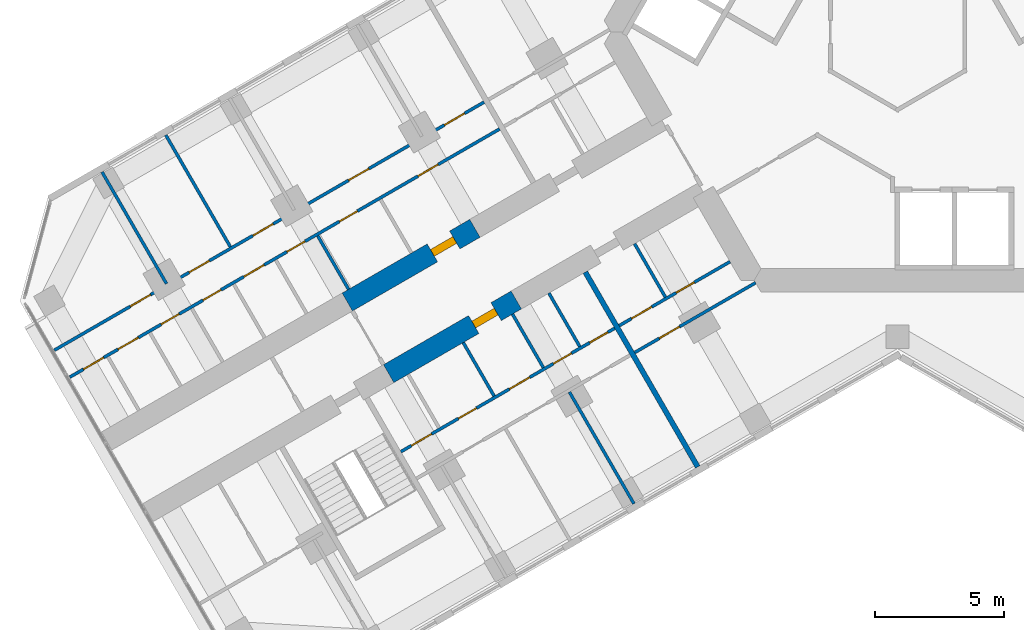
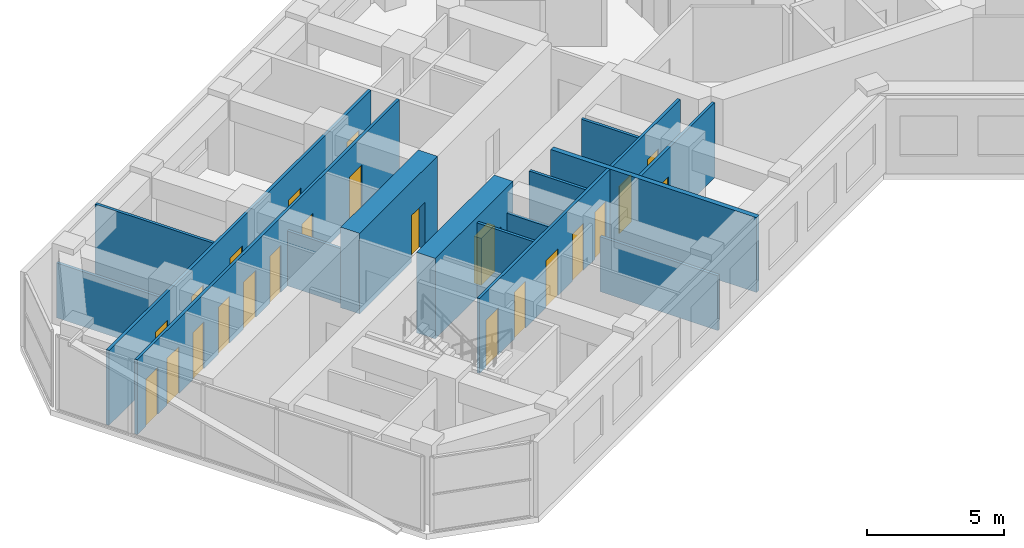
# One storey, part 11 of 19: 23 doors, 16 walls, 23 openings.
"""IFC4 building model written with IfcOpenShell, lengths in metres."""

import ifcopenshell
import ifcopenshell.guid

model = None  # the IFC model being written
_history = None  # IfcOwnerHistory: only IFC2X3 demands one
_inside = {}  # id of a spatial element -> (the spatial element, [elements in it])
_under = {}  # id of a project, library or spatial element -> (it, [spatial elements below it])
_declared = {}  # id of a project -> (the project, [libraries it declares])
_typed = {}  # id of a type object -> (the type object, [elements of that type])
_made_of = {}  # id of a material, layer set ... -> (it, [elements and type objects made of it])


def new_model(schema):
    """Start an empty IFC model of exactly this schema.

    Asked for "IFC4X3", IfcOpenShell would pick the latest addendum, in which some entities
    have other attributes; the version numbers below select the first issue.
    IFC2X3 requires an IfcOwnerHistory on every rooted entity: one is made here for all.
    """
    global model, _history
    if schema == "IFC4X3":
        model = ifcopenshell.file(schema_version=(4, 3, 0, 0))
    else:
        model = ifcopenshell.file(schema=schema)
    _inside.clear()
    _under.clear()
    _declared.clear()
    _typed.clear()
    _made_of.clear()
    _history = None
    if model.schema == "IFC2X3":
        org = make("IfcOrganization", Name="unknown")
        user = make(
            "IfcPersonAndOrganization",
            ThePerson=make("IfcPerson", FamilyName="unknown"),
            TheOrganization=org,
        )
        app = make(
            "IfcApplication",
            ApplicationDeveloper=org,
            Version="unknown",
            ApplicationFullName="unknown",
            ApplicationIdentifier="unknown",
        )
        _history = make(
            "IfcOwnerHistory",
            OwningUser=user,
            OwningApplication=app,
            ChangeAction="ADDED",
            CreationDate=0,
        )
    return model


def make(cls, **values):
    """One entity of the class cls with the attributes given. An attribute that is None is left unset."""
    return model.create_entity(
        cls, **{name: value for name, value in values.items() if value is not None}
    )


def rooted(cls, **values):
    """An entity with a GlobalId (a new one), such as an element, a storey or a relation."""
    return make(cls, GlobalId=ifcopenshell.guid.new(), OwnerHistory=_history, **values)


def si_unit(unit_type, name, prefix=None):
    """IfcSIUnit, for example si_unit("LENGTHUNIT", "METRE", prefix="MILLI")."""
    return make("IfcSIUnit", UnitType=unit_type, Prefix=prefix, Name=name)


def assignment(units):
    """IfcUnitAssignment: the units of a project."""
    return None if units is None else make("IfcUnitAssignment", Units=units)


def point(xyz):
    """IfcCartesianPoint."""
    return None if xyz is None else make("IfcCartesianPoint", Coordinates=xyz)


def direction(xyz):
    """IfcDirection."""
    return None if xyz is None else make("IfcDirection", DirectionRatios=xyz)


def frame(location, z_axis=None, x_axis=None):
    """IfcAxis2Placement3D, a coordinate frame: its origin and axes. An axis left out is left unset."""
    return make(
        "IfcAxis2Placement3D",
        Location=point(location),
        Axis=direction(z_axis),
        RefDirection=direction(x_axis),
    )


def frame_2d(location, x_axis=None):
    """IfcAxis2Placement2D, a coordinate frame in the plane: its origin and x axis."""
    return make(
        "IfcAxis2Placement2D", Location=point(location), RefDirection=direction(x_axis)
    )


def origin():
    """The frame at (0, 0, 0) with its axes left unset."""
    return frame((0.0, 0.0, 0.0))


def place(relative_to, where):
    """IfcLocalPlacement: puts the frame where relative to a parent placement (None: the world)."""
    return make(
        "IfcLocalPlacement", PlacementRelTo=relative_to, RelativePlacement=where
    )


def context(
    kind, dimensions, precision=None, world=None, true_north=None, identifier=None
):
    """IfcGeometricRepresentationContext, for example the 3D "Model" context."""
    return make(
        "IfcGeometricRepresentationContext",
        ContextIdentifier=identifier,
        ContextType=kind,
        CoordinateSpaceDimension=dimensions,
        Precision=precision,
        WorldCoordinateSystem=world,
        TrueNorth=true_north,
    )


def subcontext(parent, identifier, kind, view, scale=None):
    """IfcGeometricRepresentationSubContext, for example "Body" below "Model"."""
    return make(
        "IfcGeometricRepresentationSubContext",
        ContextIdentifier=identifier,
        ContextType=kind,
        ParentContext=parent,
        TargetScale=scale,
        TargetView=view,
    )


def project(units=None, contexts=None):
    """IfcProject with its units and contexts."""
    return rooted(
        "IfcProject",
        Name="project",
        RepresentationContexts=contexts,
        UnitsInContext=assignment(units),
    )


def spatial(cls, under=None, at=None, **own):
    """A site, building, storey or space (cls), placed at a placement, below another one or the project."""
    s = rooted(cls, ObjectPlacement=at, **own)
    if under is not None:
        _under.setdefault(under.id(), (under, []))[1].append(s)
    return s


def profile(cls, at=None, kind="AREA", **sizes):
    """A parametric profile (cls). Its sizes go by their IFC names, for example OverallWidth=200.0."""
    return make(cls, ProfileType=kind, Position=at, **sizes)


def rectangle(**sizes):
    """IfcRectangleProfileDef."""
    return profile("IfcRectangleProfileDef", **sizes)


def extrude(swept, where, along, depth):
    """IfcExtrudedAreaSolid: the profile swept, set in the frame where, extruded along a direction by depth."""
    return make(
        "IfcExtrudedAreaSolid",
        SweptArea=swept,
        Position=where,
        ExtrudedDirection=direction(along),
        Depth=depth,
    )


def shape(context_of_items, identifier, shape_type, items):
    """IfcShapeRepresentation: the items that make up one representation, for example the "Body"."""
    return make(
        "IfcShapeRepresentation",
        ContextOfItems=context_of_items,
        RepresentationIdentifier=identifier,
        RepresentationType=shape_type,
        Items=items,
    )


def material(Name=None, Category=None):
    """IfcMaterial."""
    return make("IfcMaterial", Name=Name, Category=Category)


def layer(
    of_material, thickness, ventilated=None, Name=None, Category=None, Priority=None
):
    """IfcMaterialLayer: one layer of a wall or slab, of a material (None: an air gap)."""
    return make(
        "IfcMaterialLayer",
        Material=of_material,
        LayerThickness=thickness,
        IsVentilated=ventilated,
        Name=Name,
        Category=Category,
        Priority=Priority,
    )


def layer_set(layers, Name=None):
    """IfcMaterialLayerSet."""
    return make("IfcMaterialLayerSet", MaterialLayers=layers, LayerSetName=Name)


def made_of(thing, what):
    """Note that an element or type object is made of a material, layer set ...; save() writes the relation."""
    if what is not None:
        _made_of.setdefault(what.id(), (what, []))[1].append(thing)
    return thing


def type_object(cls, material=None, **own):
    """A type object (cls), such as IfcWallType, which elements share."""
    return made_of(rooted(cls, **own), material)


def element(
    cls,
    number,
    at=None,
    inside=None,
    cuts=None,
    type_object=None,
    material=None,
    context=None,
    identifier="Body",
    shape_type=None,
    held_by="IfcProductDefinitionShape",
    body=None,
    shapes=None,
    **own,
):
    """One element of the class cls, such as IfcWall. Its Tag is "e" and its number.

    at: its placement. inside: the storey or other place that contains it. cuts: it is an
    opening in that element (IfcRelVoidsElement). A single representation is given by context,
    identifier, shape_type and body (its items); several are given by shapes. held_by: the class
    of the entity that holds the representations. save() writes the other relations.
    """
    e = rooted(cls, Tag="e%d" % number, ObjectPlacement=at, **own)
    if body is not None:
        shapes = [shape(context, identifier, shape_type, body)]
    if shapes is not None:
        e.Representation = make(held_by, Representations=shapes)
    if inside is not None:
        _inside.setdefault(inside.id(), (inside, []))[1].append(e)
    if cuts is not None:
        rooted(
            "IfcRelVoidsElement", RelatingBuildingElement=cuts, RelatedOpeningElement=e
        )
    if type_object is not None:
        _typed.setdefault(type_object.id(), (type_object, []))[1].append(e)
    return made_of(e, material)


def fill(opening, filler):
    """IfcRelFillsElement: the door or window that sits in an opening."""
    return rooted(
        "IfcRelFillsElement",
        RelatingOpeningElement=opening,
        RelatedBuildingElement=filler,
    )


def aggregate(whole, parts):
    """IfcRelAggregates: a whole, such as a stair, and the parts it consists of."""
    return rooted("IfcRelAggregates", RelatingObject=whole, RelatedObjects=parts)


def save(model, path):
    """Write the relations noted so far, then the file.

    IfcRelAggregates (storeys below a building ...), IfcRelContainedInSpatialStructure (elements
    in a storey), IfcRelDefinesByType, IfcRelAssociatesMaterial and IfcRelDeclares: one each for
    every whole, place, type object, material and project.
    """
    for whole, parts in _under.values():
        aggregate(whole, parts)
    for where, things in _inside.values():
        rooted(
            "IfcRelContainedInSpatialStructure",
            RelatedElements=things,
            RelatingStructure=where,
        )
    for kind, things in _typed.values():
        rooted("IfcRelDefinesByType", RelatedObjects=things, RelatingType=kind)
    for what, things in _made_of.values():
        rooted("IfcRelAssociatesMaterial", RelatedObjects=things, RelatingMaterial=what)
    for by, libraries in _declared.values():
        rooted("IfcRelDeclares", RelatingContext=by, RelatedDefinitions=libraries)
    model.write(path)


model = new_model("IFC4")

# Units and contexts
model_context = context("Model", 3, precision=1e-05, world=origin(), true_north=direction((0.0, 1.0)))
body_context = subcontext(model_context, "Body", "Model", "MODEL_VIEW")
ifc_project = project(units=[si_unit("LENGTHUNIT", "METRE"), si_unit("AREAUNIT", "SQUARE_METRE"), si_unit("VOLUMEUNIT", "CUBIC_METRE"), si_unit("PLANEANGLEUNIT", "RADIAN"), si_unit("MASSUNIT", "GRAM", prefix="KILO")], contexts=[model_context])

# Site, building, storey
site_placement = place(None, origin())
site = spatial("IfcSite", under=ifc_project, at=site_placement, CompositionType="ELEMENT")
building_placement = place(site_placement, origin())
building = spatial("IfcBuilding", under=site, at=building_placement, Name="Kosmar Iwan School Tower", CompositionType="ELEMENT")
storey_placement = place(building_placement, frame((0.0, 0.0, 134.60009765625)))
storey = spatial("IfcBuildingStorey", under=building, at=storey_placement, Name="L33", CompositionType="ELEMENT", Elevation=134.60009765625)

# Wall, opening, door
ifc_material_1 = material(Name="Concrete C50/60", Category="concrete")
ifc_layer_1 = layer(ifc_material_1, 0.800048828125)
ifc_layer_set_1 = layer_set([ifc_layer_1], Name="Corridor buttress wall 800")
wall_type_1 = type_object("IfcWallType", Name="Corridor buttress wall 800", PredefinedType="SHEAR", material=ifc_layer_set_1)
wall_1_placement = place(storey_placement, frame((-14.7451171875, -10.360595703125, 0.0), z_axis=(0.0, 0.0, 1.0), x_axis=(-0.866015111908, -0.50001782563, 0.0)))
wall_1 = element("IfcWall", 1, at=wall_1_placement, inside=storey, type_object=wall_type_1, Name="Corridor wall BL bay 2", PredefinedType="SHEAR", context=body_context, shape_type="SweptSolid", body=[
    extrude(rectangle(XDim=5.699951171875, YDim=0.800048828125, at=frame_2d((2.85009765625, 0.0))), origin(), (0.0, 0.0, 1.0), 3.599853515625),
])
opening_1_placement = place(wall_1_placement, frame((0.89990234375, 0.0, 0.0)))
opening_1 = element("IfcOpeningElement", 2, at=opening_1_placement, cuts=wall_1, Name="Opening D1", PredefinedType="OPENING", context=body_context, shape_type="SweptSolid", body=[
    extrude(rectangle(XDim=1.0, YDim=2.10009765625, at=frame_2d((0.5, 1.050048828125))), frame((0.0, 0.412109375, 0.0), z_axis=(0.0, -1.0, 0.0), x_axis=(1.0, 0.0, 0.0)), (0.0, 0.0, 1.0), 0.823974609375),
])
ifc_material_2 = material(Name="Timber fire door in steel frame", Category="steel")
door_type_1 = type_object("IfcDoorType", Name="Flat entrance door 1000x2100", OperationType="SINGLE_SWING_LEFT", PredefinedType="DOOR", material=ifc_material_2)
door_1_placement = place(opening_1_placement, origin())
door_1 = element("IfcDoor", 3, at=door_1_placement, inside=storey, type_object=door_type_1, Name="Flat L33-BL2 entrance door", OperationType="SINGLE_SWING_LEFT", OverallHeight=2.10009765625, OverallWidth=1.0, PredefinedType="DOOR", context=body_context, shape_type="SweptSolid", body=[
    extrude(rectangle(XDim=1.0, YDim=2.10009765625, at=frame_2d((0.5, 1.050048828125))), frame((0.0, 0.14990234375, 0.0), z_axis=(0.0, -1.0, 0.0), x_axis=(1.0, 0.0, 0.0)), (0.0, 0.0, 1.0), 0.300048828125),
])
fill(opening_1, door_1)

wall_2_placement = place(storey_placement, frame((-16.34521484375, -7.58935546875, 0.0), z_axis=(0.0, 0.0, 1.0), x_axis=(-0.866015111908, -0.50001782563, 0.0)))
wall_2 = element("IfcWall", 4, at=wall_2_placement, inside=storey, type_object=wall_type_1, Name="Corridor wall BR bay 2", PredefinedType="SHEAR", context=body_context, shape_type="SweptSolid", body=[
    extrude(rectangle(XDim=5.699951171875, YDim=0.800048828125, at=frame_2d((2.85009765625, 0.0))), origin(), (0.0, 0.0, 1.0), 3.599853515625),
])
opening_2_placement = place(wall_2_placement, frame((0.89990234375, 0.0, 0.0)))
opening_2 = element("IfcOpeningElement", 5, at=opening_2_placement, cuts=wall_2, Name="Opening D1", PredefinedType="OPENING", context=body_context, shape_type="SweptSolid", body=[
    extrude(rectangle(XDim=1.0, YDim=2.10009765625, at=frame_2d((0.5, 1.050048828125))), frame((0.0, 0.412109375, 0.0), z_axis=(0.0, -1.0, 0.0), x_axis=(1.0, 0.0, 0.0)), (0.0, 0.0, 1.0), 0.823974609375),
])
door_2_placement = place(opening_2_placement, origin())
door_2 = element("IfcDoor", 6, at=door_2_placement, inside=storey, type_object=door_type_1, Name="Flat L33-BR2 entrance door", OperationType="SINGLE_SWING_LEFT", OverallHeight=2.10009765625, OverallWidth=1.0, PredefinedType="DOOR", context=body_context, shape_type="SweptSolid", body=[
    extrude(rectangle(XDim=1.0, YDim=2.10009765625, at=frame_2d((0.5, 1.050048828125))), frame((0.0, 0.14990234375, 0.0), z_axis=(0.0, -1.0, 0.0), x_axis=(1.0, 0.0, 0.0)), (0.0, 0.0, 1.0), 0.300048828125),
])
fill(opening_2, door_2)

# Wall, openings, doors
ifc_material_3 = material(Name="Gypsum board on steel studs", Category="steel")
ifc_layer_2 = layer(ifc_material_3, 0.1201171875)
ifc_layer_set_2 = layer_set([ifc_layer_2], Name="Dwelling partition 120")
wall_type_2 = type_object("IfcWallType", Name="Dwelling partition 120", PredefinedType="PARTITIONING", material=ifc_layer_set_2)
wall_3_placement = place(storey_placement, frame((-6.478515625, -8.87890625, 0.0), z_axis=(0.0, 0.0, 1.0), x_axis=(-0.866040211805, -0.499974350878, 0.0)))
wall_3 = element("IfcWall", 7, at=wall_3_placement, inside=storey, type_object=wall_type_2, Name="Partition L33-BL1-W1", PredefinedType="PARTITIONING", context=body_context, shape_type="SweptSolid", body=[
    extrude(rectangle(XDim=4.949951171875, YDim=0.1201171875, at=frame_2d((2.47509765625, 0.0))), origin(), (0.0, 0.0, 1.0), 3.349853515625),
])
opening_3_placement = place(wall_3_placement, frame((1.60009765625, 0.0, 0.0)))
opening_3 = element("IfcOpeningElement", 8, at=opening_3_placement, cuts=wall_3, Name="Opening D3", PredefinedType="OPENING", context=body_context, shape_type="SweptSolid", body=[
    extrude(rectangle(XDim=0.800048828125, YDim=2.10009765625, at=frame_2d((0.39990234375, 1.050048828125))), frame((0.0, 0.072021484375, 0.0), z_axis=(0.0, -1.0, 0.0), x_axis=(1.0, 0.0, 0.0)), (0.0, 0.0, 1.0), 0.14404296875),
])
opening_4_placement = place(wall_3_placement, frame((3.5, 0.0, 0.0)))
opening_4 = element("IfcOpeningElement", 9, at=opening_4_placement, cuts=wall_3, Name="Opening D2", PredefinedType="OPENING", context=body_context, shape_type="SweptSolid", body=[
    extrude(rectangle(XDim=0.89990234375, YDim=2.10009765625, at=frame_2d((0.449951171875, 1.050048828125))), frame((0.0, 0.072021484375, 0.0), z_axis=(0.0, -1.0, 0.0), x_axis=(1.0, 0.0, 0.0)), (0.0, 0.0, 1.0), 0.14404296875),
])
ifc_material_4 = material(Name="Timber door in timber frame", Category="wood")
door_type_2 = type_object("IfcDoorType", Name="Internal door 900x2100", OperationType="SINGLE_SWING_LEFT", PredefinedType="DOOR", material=ifc_material_4)
door_3_placement = place(opening_4_placement, origin())
door_3 = element("IfcDoor", 10, at=door_3_placement, inside=storey, type_object=door_type_2, Name="Entrance hall door L33-BL1-S2", OperationType="SINGLE_SWING_RIGHT", OverallHeight=2.10009765625, OverallWidth=0.89990234375, PredefinedType="DOOR", context=body_context, shape_type="SweptSolid", body=[
    extrude(rectangle(XDim=0.89990234375, YDim=2.10009765625, at=frame_2d((0.449951171875, 1.050048828125))), frame((0.0, 0.02490234375, 0.0), z_axis=(0.0, -1.0, 0.0), x_axis=(1.0, 0.0, 0.0)), (0.0, 0.0, 1.0), 0.050048828125),
])
fill(opening_4, door_3)
ifc_material_5 = material(Name="Timber door in timber frame", Category="wood")
door_type_3 = type_object("IfcDoorType", Name="Sanitary room door 800x2100", OperationType="SINGLE_SWING_LEFT", PredefinedType="DOOR", material=ifc_material_5)
door_4_placement = place(opening_3_placement, origin())
door_4 = element("IfcDoor", 11, at=door_4_placement, inside=storey, type_object=door_type_3, Name="Bathroom door L33-BL1-S1", OperationType="SINGLE_SWING_LEFT", OverallHeight=2.10009765625, OverallWidth=0.800048828125, PredefinedType="DOOR", context=body_context, shape_type="SweptSolid", body=[
    extrude(rectangle(XDim=0.800048828125, YDim=2.10009765625, at=frame_2d((0.39990234375, 1.050048828125))), frame((0.0, 0.02490234375, 0.0), z_axis=(0.0, -1.0, 0.0), x_axis=(1.0, 0.0, 0.0)), (0.0, 0.0, 1.0), 0.050048828125),
])
fill(opening_3, door_4)

# Wall, opening, door
wall_4_placement = place(storey_placement, frame((-5.48876953125, -9.693115234375, 0.0), z_axis=(0.0, 0.0, 1.0), x_axis=(-0.866028230842, -0.499995103361, 0.0)))
wall_4 = element("IfcWall", 12, at=wall_4_placement, inside=storey, type_object=wall_type_2, Name="Partition L33-BL1-W2", PredefinedType="PARTITIONING", context=body_context, shape_type="SweptSolid", body=[
    extrude(rectangle(XDim=5.39990234375, YDim=0.1201171875, at=frame_2d((2.699951171875, 0.0))), origin(), (0.0, 0.0, 1.0), 3.349853515625),
])
opening_5_placement = place(wall_4_placement, frame((3.39990234375, 0.0, 0.0)))
opening_5 = element("IfcOpeningElement", 13, at=opening_5_placement, cuts=wall_4, Name="Opening D2", PredefinedType="OPENING", context=body_context, shape_type="SweptSolid", body=[
    extrude(rectangle(XDim=0.89990234375, YDim=2.10009765625, at=frame_2d((0.449951171875, 1.050048828125))), frame((0.0, 0.072021484375, 0.0), z_axis=(0.0, -1.0, 0.0), x_axis=(1.0, 0.0, 0.0)), (0.0, 0.0, 1.0), 0.14404296875),
])
door_5_placement = place(opening_5_placement, origin())
door_5 = element("IfcDoor", 14, at=door_5_placement, inside=storey, type_object=door_type_2, Name="Studio living room and kitchen door L33-BL1-F1", OperationType="SINGLE_SWING_RIGHT", OverallHeight=2.10009765625, OverallWidth=0.89990234375, PredefinedType="DOOR", context=body_context, shape_type="SweptSolid", body=[
    extrude(rectangle(XDim=0.89990234375, YDim=2.10009765625, at=frame_2d((0.449951171875, 1.050048828125))), frame((0.0, 0.02490234375, 0.0), z_axis=(0.0, -1.0, 0.0), x_axis=(1.0, 0.0, 0.0)), (0.0, 0.0, 1.0), 0.050048828125),
])
fill(opening_5, door_5)

# Wall
wall_5_placement = place(storey_placement, frame((-10.171630859375, -8.18212890625, 0.0), z_axis=(0.0, 0.0, 1.0), x_axis=(0.499940577336, -0.866059708757, 0.0)))
element("IfcWall", 15, at=wall_5_placement, inside=storey, type_object=wall_type_2, Name="Partition L33-BL1-Y1", PredefinedType="PARTITIONING", context=body_context, shape_type="SweptSolid", body=[
    extrude(rectangle(XDim=2.389892578125, YDim=0.1201171875, at=frame_2d((1.19482421875, 0.0))), origin(), (0.0, 0.0, 1.0), 3.349853515625),
])

# Wall, openings, doors
wall_6_placement = place(storey_placement, frame((-10.9384765625, -11.453857421875, 0.0), z_axis=(0.0, 0.0, 1.0), x_axis=(-0.866035311659, -0.499982838664, 0.0)))
wall_6 = element("IfcWall", 16, at=wall_6_placement, inside=storey, type_object=wall_type_2, Name="Partition L33-BL2-W1", PredefinedType="PARTITIONING", context=body_context, shape_type="SweptSolid", body=[
    extrude(rectangle(XDim=9.550048828125, YDim=0.1201171875, at=frame_2d((4.77490234375, 0.0))), origin(), (0.0, 0.0, 1.0), 3.349853515625),
])
opening_6_placement = place(wall_6_placement, frame((0.3125, 0.0, 0.0)))
opening_6 = element("IfcOpeningElement", 17, at=opening_6_placement, cuts=wall_6, Name="Opening D3", PredefinedType="OPENING", context=body_context, shape_type="SweptSolid", body=[
    extrude(rectangle(XDim=0.800048828125, YDim=2.10009765625, at=frame_2d((0.39990234375, 1.050048828125))), frame((0.0, 0.072021484375, 0.0), z_axis=(0.0, -1.0, 0.0), x_axis=(1.0, 0.0, 0.0)), (0.0, 0.0, 1.0), 0.14404296875),
])
opening_7_placement = place(wall_6_placement, frame((1.9375, 0.0, 0.0)))
opening_7 = element("IfcOpeningElement", 18, at=opening_7_placement, cuts=wall_6, Name="Opening D3", PredefinedType="OPENING", context=body_context, shape_type="SweptSolid", body=[
    extrude(rectangle(XDim=0.800048828125, YDim=2.10009765625, at=frame_2d((0.39990234375, 1.050048828125))), frame((0.0, 0.072021484375, 0.0), z_axis=(0.0, -1.0, 0.0), x_axis=(1.0, 0.0, 0.0)), (0.0, 0.0, 1.0), 0.14404296875),
])
opening_8_placement = place(wall_6_placement, frame((3.800048828125, 0.0, 0.0)))
opening_8 = element("IfcOpeningElement", 19, at=opening_8_placement, cuts=wall_6, Name="Opening D2", PredefinedType="OPENING", context=body_context, shape_type="SweptSolid", body=[
    extrude(rectangle(XDim=0.89990234375, YDim=2.10009765625, at=frame_2d((0.449951171875, 1.050048828125))), frame((0.0, 0.072021484375, 0.0), z_axis=(0.0, -1.0, 0.0), x_axis=(1.0, 0.0, 0.0)), (0.0, 0.0, 1.0), 0.14404296875),
])
opening_9_placement = place(wall_6_placement, frame((6.179931640625, 0.0, 0.0)))
opening_9 = element("IfcOpeningElement", 20, at=opening_9_placement, cuts=wall_6, Name="Opening D3", PredefinedType="OPENING", context=body_context, shape_type="SweptSolid", body=[
    extrude(rectangle(XDim=0.800048828125, YDim=2.10009765625, at=frame_2d((0.39990234375, 1.050048828125))), frame((0.0, 0.072021484375, 0.0), z_axis=(0.0, -1.0, 0.0), x_axis=(1.0, 0.0, 0.0)), (0.0, 0.0, 1.0), 0.14404296875),
])
opening_10_placement = place(wall_6_placement, frame((8.179931640625, 0.0, 0.0)))
opening_10 = element("IfcOpeningElement", 21, at=opening_10_placement, cuts=wall_6, Name="Opening D2", PredefinedType="OPENING", context=body_context, shape_type="SweptSolid", body=[
    extrude(rectangle(XDim=0.89990234375, YDim=2.10009765625, at=frame_2d((0.449951171875, 1.050048828125))), frame((0.0, 0.072021484375, 0.0), z_axis=(0.0, -1.0, 0.0), x_axis=(1.0, 0.0, 0.0)), (0.0, 0.0, 1.0), 0.14404296875),
])
door_6_placement = place(opening_8_placement, origin())
door_6 = element("IfcDoor", 22, at=door_6_placement, inside=storey, type_object=door_type_2, Name="Entrance hall door L33-BL2-S3", OperationType="SINGLE_SWING_LEFT", OverallHeight=2.10009765625, OverallWidth=0.89990234375, PredefinedType="DOOR", context=body_context, shape_type="SweptSolid", body=[
    extrude(rectangle(XDim=0.89990234375, YDim=2.10009765625, at=frame_2d((0.449951171875, 1.050048828125))), frame((0.0, 0.02490234375, 0.0), z_axis=(0.0, -1.0, 0.0), x_axis=(1.0, 0.0, 0.0)), (0.0, 0.0, 1.0), 0.050048828125),
])
fill(opening_8, door_6)
door_7_placement = place(opening_10_placement, frame((0.89990234375, 0.0, 0.0), z_axis=(0.0, 0.0, 1.0), x_axis=(-1.0, 0.0, 0.0)))
door_7 = element("IfcDoor", 23, at=door_7_placement, inside=storey, type_object=door_type_2, Name="Pantry door L33-BL2-S5", OperationType="SINGLE_SWING_LEFT", OverallHeight=2.10009765625, OverallWidth=0.89990234375, PredefinedType="DOOR", context=body_context, shape_type="SweptSolid", body=[
    extrude(rectangle(XDim=0.89990234375, YDim=2.10009765625, at=frame_2d((0.449951171875, 1.050048828125))), frame((0.0, 0.02490234375, 0.0), z_axis=(0.0, -1.0, 0.0), x_axis=(1.0, 0.0, 0.0)), (0.0, 0.0, 1.0), 0.050048828125),
])
fill(opening_10, door_7)
door_8_placement = place(opening_6_placement, origin())
door_8 = element("IfcDoor", 24, at=door_8_placement, inside=storey, type_object=door_type_3, Name="WC door L33-BL2-S1", OperationType="SINGLE_SWING_LEFT", OverallHeight=2.10009765625, OverallWidth=0.800048828125, PredefinedType="DOOR", context=body_context, shape_type="SweptSolid", body=[
    extrude(rectangle(XDim=0.800048828125, YDim=2.10009765625, at=frame_2d((0.39990234375, 1.050048828125))), frame((0.0, 0.02490234375, 0.0), z_axis=(0.0, -1.0, 0.0), x_axis=(1.0, 0.0, 0.0)), (0.0, 0.0, 1.0), 0.050048828125),
])
fill(opening_6, door_8)
door_9_placement = place(opening_7_placement, origin())
door_9 = element("IfcDoor", 25, at=door_9_placement, inside=storey, type_object=door_type_3, Name="Shower room door L33-BL2-S2", OperationType="SINGLE_SWING_LEFT", OverallHeight=2.10009765625, OverallWidth=0.800048828125, PredefinedType="DOOR", context=body_context, shape_type="SweptSolid", body=[
    extrude(rectangle(XDim=0.800048828125, YDim=2.10009765625, at=frame_2d((0.39990234375, 1.050048828125))), frame((0.0, 0.02490234375, 0.0), z_axis=(0.0, -1.0, 0.0), x_axis=(1.0, 0.0, 0.0)), (0.0, 0.0, 1.0), 0.050048828125),
])
fill(opening_7, door_9)
door_10_placement = place(opening_9_placement, origin())
door_10 = element("IfcDoor", 26, at=door_10_placement, inside=storey, type_object=door_type_3, Name="Bathroom door L33-BL2-S4", OperationType="SINGLE_SWING_RIGHT", OverallHeight=2.10009765625, OverallWidth=0.800048828125, PredefinedType="DOOR", context=body_context, shape_type="SweptSolid", body=[
    extrude(rectangle(XDim=0.800048828125, YDim=2.10009765625, at=frame_2d((0.39990234375, 1.050048828125))), frame((0.0, 0.02490234375, 0.0), z_axis=(0.0, -1.0, 0.0), x_axis=(1.0, 0.0, 0.0)), (0.0, 0.0, 1.0), 0.050048828125),
])
fill(opening_9, door_10)

# Walls
wall_7_placement = place(storey_placement, frame((-12.690185546875, -13.919921875, 0.0), z_axis=(0.0, 0.0, 1.0), x_axis=(0.500011847778, -0.866018563358, 0.0)))
element("IfcWall", 27, at=wall_7_placement, inside=storey, type_object=wall_type_2, Name="Partition L33-BL2-X1", PredefinedType="PARTITIONING", context=body_context, shape_type="SweptSolid", body=[
    extrude(rectangle(XDim=4.990234375, YDim=0.1201171875, at=frame_2d((2.4951171875, 0.0))), origin(), (0.0, 0.0, 1.0), 2.449951171875),
])
wall_8_placement = place(storey_placement, frame((-13.484375, -10.094482421875, 0.0), z_axis=(0.0, 0.0, 1.0), x_axis=(0.500017192868, -0.86601547725, 0.0)))
element("IfcWall", 28, at=wall_8_placement, inside=storey, type_object=wall_type_2, Name="Partition L33-BL2-Y1", PredefinedType="PARTITIONING", context=body_context, shape_type="SweptSolid", body=[
    extrude(rectangle(XDim=2.39013671875, YDim=0.1201171875, at=frame_2d((1.195068359375, 0.0))), origin(), (0.0, 0.0, 1.0), 3.349853515625),
])
wall_9_placement = place(storey_placement, frame((-14.8916015625, -10.906982421875, 0.0), z_axis=(0.0, 0.0, 1.0), x_axis=(0.500017192868, -0.86601547725, 0.0)))
element("IfcWall", 29, at=wall_9_placement, inside=storey, type_object=wall_type_2, Name="Partition L33-BL2-Y2", PredefinedType="PARTITIONING", context=body_context, shape_type="SweptSolid", body=[
    extrude(rectangle(XDim=2.39013671875, YDim=0.1201171875, at=frame_2d((1.195068359375, 0.0))), origin(), (0.0, 0.0, 1.0), 2.449951171875),
])
wall_10_placement = place(storey_placement, frame((-16.796875, -12.007080078125, 0.0), z_axis=(0.0, 0.0, 1.0), x_axis=(0.500017192868, -0.86601547725, 0.0)))
element("IfcWall", 30, at=wall_10_placement, inside=storey, type_object=wall_type_2, Name="Partition L33-BL2-Y3", PredefinedType="PARTITIONING", context=body_context, shape_type="SweptSolid", body=[
    extrude(rectangle(XDim=2.39013671875, YDim=0.1201171875, at=frame_2d((1.195068359375, 0.0))), origin(), (0.0, 0.0, 1.0), 3.349853515625),
])

# Wall, openings, doors
wall_11_placement = place(storey_placement, frame((-15.388671875, -3.74609375, 0.0), z_axis=(0.0, 0.0, 1.0), x_axis=(-0.866021011428, -0.500007607708, 0.0)))
wall_11 = element("IfcWall", 31, at=wall_11_placement, inside=storey, type_object=wall_type_2, Name="Partition L33-BR2-W1", PredefinedType="PARTITIONING", context=body_context, shape_type="SweptSolid", body=[
    extrude(rectangle(XDim=19.195068359375, YDim=0.1201171875, at=frame_2d((9.59765625, 0.0))), origin(), (0.0, 0.0, 1.0), 3.349853515625),
])
opening_11_placement = place(wall_11_placement, frame((2.75, 0.0, 0.0)))
opening_11 = element("IfcOpeningElement", 32, at=opening_11_placement, cuts=wall_11, Name="Opening D2", PredefinedType="OPENING", context=body_context, shape_type="SweptSolid", body=[
    extrude(rectangle(XDim=0.89990234375, YDim=2.10009765625, at=frame_2d((0.449951171875, 1.050048828125))), frame((0.0, 0.072021484375, 0.0), z_axis=(0.0, -1.0, 0.0), x_axis=(1.0, 0.0, 0.0)), (0.0, 0.0, 1.0), 0.14404296875),
])
opening_12_placement = place(wall_11_placement, frame((6.35498046875, 0.0, 0.0)))
opening_12 = element("IfcOpeningElement", 33, at=opening_12_placement, cuts=wall_11, Name="Opening D3", PredefinedType="OPENING", context=body_context, shape_type="SweptSolid", body=[
    extrude(rectangle(XDim=0.800048828125, YDim=2.10009765625, at=frame_2d((0.39990234375, 1.050048828125))), frame((0.0, 0.072021484375, 0.0), z_axis=(0.0, -1.0, 0.0), x_axis=(1.0, 0.0, 0.0)), (0.0, 0.0, 1.0), 0.14404296875),
])
opening_13_placement = place(wall_11_placement, frame((8.69677734375, 0.0, 0.0)))
opening_13 = element("IfcOpeningElement", 34, at=opening_13_placement, cuts=wall_11, Name="Opening D3", PredefinedType="OPENING", context=body_context, shape_type="SweptSolid", body=[
    extrude(rectangle(XDim=0.800048828125, YDim=2.10009765625, at=frame_2d((0.39990234375, 1.050048828125))), frame((0.0, 0.072021484375, 0.0), z_axis=(0.0, -1.0, 0.0), x_axis=(1.0, 0.0, 0.0)), (0.0, 0.0, 1.0), 0.14404296875),
])
opening_14_placement = place(wall_11_placement, frame((10.52001953125, 0.0, 0.0)))
opening_14 = element("IfcOpeningElement", 35, at=opening_14_placement, cuts=wall_11, Name="Opening D2", PredefinedType="OPENING", context=body_context, shape_type="SweptSolid", body=[
    extrude(rectangle(XDim=0.89990234375, YDim=2.10009765625, at=frame_2d((0.449951171875, 1.050048828125))), frame((0.0, 0.072021484375, 0.0), z_axis=(0.0, -1.0, 0.0), x_axis=(1.0, 0.0, 0.0)), (0.0, 0.0, 1.0), 0.14404296875),
])
opening_15_placement = place(wall_11_placement, frame((12.443359375, 0.0, 0.0)))
opening_15 = element("IfcOpeningElement", 36, at=opening_15_placement, cuts=wall_11, Name="Opening D3", PredefinedType="OPENING", context=body_context, shape_type="SweptSolid", body=[
    extrude(rectangle(XDim=0.800048828125, YDim=2.10009765625, at=frame_2d((0.39990234375, 1.050048828125))), frame((0.0, 0.072021484375, 0.0), z_axis=(0.0, -1.0, 0.0), x_axis=(1.0, 0.0, 0.0)), (0.0, 0.0, 1.0), 0.14404296875),
])
opening_16_placement = place(wall_11_placement, frame((14.316650390625, 0.0, 0.0)))
opening_16 = element("IfcOpeningElement", 37, at=opening_16_placement, cuts=wall_11, Name="Opening D3", PredefinedType="OPENING", context=body_context, shape_type="SweptSolid", body=[
    extrude(rectangle(XDim=0.800048828125, YDim=2.10009765625, at=frame_2d((0.39990234375, 1.050048828125))), frame((0.0, 0.072021484375, 0.0), z_axis=(0.0, -1.0, 0.0), x_axis=(1.0, 0.0, 0.0)), (0.0, 0.0, 1.0), 0.14404296875),
])
opening_17_placement = place(wall_11_placement, frame((16.139892578125, 0.0, 0.0)))
opening_17 = element("IfcOpeningElement", 38, at=opening_17_placement, cuts=wall_11, Name="Opening D2", PredefinedType="OPENING", context=body_context, shape_type="SweptSolid", body=[
    extrude(rectangle(XDim=0.89990234375, YDim=2.10009765625, at=frame_2d((0.449951171875, 1.050048828125))), frame((0.0, 0.072021484375, 0.0), z_axis=(0.0, -1.0, 0.0), x_axis=(1.0, 0.0, 0.0)), (0.0, 0.0, 1.0), 0.14404296875),
])
opening_18_placement = place(wall_11_placement, frame((17.686767578125, 0.0, 0.0)))
opening_18 = element("IfcOpeningElement", 39, at=opening_18_placement, cuts=wall_11, Name="Opening D2", PredefinedType="OPENING", context=body_context, shape_type="SweptSolid", body=[
    extrude(rectangle(XDim=0.89990234375, YDim=2.10009765625, at=frame_2d((0.449951171875, 1.050048828125))), frame((0.0, 0.072021484375, 0.0), z_axis=(0.0, -1.0, 0.0), x_axis=(1.0, 0.0, 0.0)), (0.0, 0.0, 1.0), 0.14404296875),
])
door_11_placement = place(opening_11_placement, origin())
door_11 = element("IfcDoor", 40, at=door_11_placement, inside=storey, type_object=door_type_2, Name="Entrance hall door L33-BR2-S1", OperationType="SINGLE_SWING_RIGHT", OverallHeight=2.10009765625, OverallWidth=0.89990234375, PredefinedType="DOOR", context=body_context, shape_type="SweptSolid", body=[
    extrude(rectangle(XDim=0.89990234375, YDim=2.10009765625, at=frame_2d((0.449951171875, 1.050048828125))), frame((0.0, 0.02490234375, 0.0), z_axis=(0.0, -1.0, 0.0), x_axis=(1.0, 0.0, 0.0)), (0.0, 0.0, 1.0), 0.050048828125),
])
fill(opening_11, door_11)
door_12_placement = place(opening_14_placement, origin())
door_12 = element("IfcDoor", 41, at=door_12_placement, inside=storey, type_object=door_type_2, Name="Pantry door L33-BR2-S4", OperationType="SINGLE_SWING_LEFT", OverallHeight=2.10009765625, OverallWidth=0.89990234375, PredefinedType="DOOR", context=body_context, shape_type="SweptSolid", body=[
    extrude(rectangle(XDim=0.89990234375, YDim=2.10009765625, at=frame_2d((0.449951171875, 1.050048828125))), frame((0.0, 0.02490234375, 0.0), z_axis=(0.0, -1.0, 0.0), x_axis=(1.0, 0.0, 0.0)), (0.0, 0.0, 1.0), 0.050048828125),
])
fill(opening_14, door_12)
door_13_placement = place(opening_17_placement, origin())
door_13 = element("IfcDoor", 42, at=door_13_placement, inside=storey, type_object=door_type_2, Name="Utility room door L33-BR2-S7", OperationType="SINGLE_SWING_RIGHT", OverallHeight=2.10009765625, OverallWidth=0.89990234375, PredefinedType="DOOR", context=body_context, shape_type="SweptSolid", body=[
    extrude(rectangle(XDim=0.89990234375, YDim=2.10009765625, at=frame_2d((0.449951171875, 1.050048828125))), frame((0.0, 0.02490234375, 0.0), z_axis=(0.0, -1.0, 0.0), x_axis=(1.0, 0.0, 0.0)), (0.0, 0.0, 1.0), 0.050048828125),
])
fill(opening_17, door_13)
door_14_placement = place(opening_18_placement, origin())
door_14 = element("IfcDoor", 43, at=door_14_placement, inside=storey, type_object=door_type_2, Name="Dressing room door L33-BR2-S8", OperationType="SINGLE_SWING_LEFT", OverallHeight=2.10009765625, OverallWidth=0.89990234375, PredefinedType="DOOR", context=body_context, shape_type="SweptSolid", body=[
    extrude(rectangle(XDim=0.89990234375, YDim=2.10009765625, at=frame_2d((0.449951171875, 1.050048828125))), frame((0.0, 0.02490234375, 0.0), z_axis=(0.0, -1.0, 0.0), x_axis=(1.0, 0.0, 0.0)), (0.0, 0.0, 1.0), 0.050048828125),
])
fill(opening_18, door_14)
door_15_placement = place(opening_12_placement, origin())
door_15 = element("IfcDoor", 44, at=door_15_placement, inside=storey, type_object=door_type_3, Name="Bathroom door L33-BR2-S2", OperationType="SINGLE_SWING_LEFT", OverallHeight=2.10009765625, OverallWidth=0.800048828125, PredefinedType="DOOR", context=body_context, shape_type="SweptSolid", body=[
    extrude(rectangle(XDim=0.800048828125, YDim=2.10009765625, at=frame_2d((0.39990234375, 1.050048828125))), frame((0.0, 0.02490234375, 0.0), z_axis=(0.0, -1.0, 0.0), x_axis=(1.0, 0.0, 0.0)), (0.0, 0.0, 1.0), 0.050048828125),
])
fill(opening_12, door_15)
door_16_placement = place(opening_13_placement, origin())
door_16 = element("IfcDoor", 45, at=door_16_placement, inside=storey, type_object=door_type_3, Name="Shower room door L33-BR2-S3", OperationType="SINGLE_SWING_RIGHT", OverallHeight=2.10009765625, OverallWidth=0.800048828125, PredefinedType="DOOR", context=body_context, shape_type="SweptSolid", body=[
    extrude(rectangle(XDim=0.800048828125, YDim=2.10009765625, at=frame_2d((0.39990234375, 1.050048828125))), frame((0.0, 0.02490234375, 0.0), z_axis=(0.0, -1.0, 0.0), x_axis=(1.0, 0.0, 0.0)), (0.0, 0.0, 1.0), 0.050048828125),
])
fill(opening_13, door_16)
door_17_placement = place(opening_15_placement, origin())
door_17 = element("IfcDoor", 46, at=door_17_placement, inside=storey, type_object=door_type_3, Name="WC door L33-BR2-S5", OperationType="SINGLE_SWING_RIGHT", OverallHeight=2.10009765625, OverallWidth=0.800048828125, PredefinedType="DOOR", context=body_context, shape_type="SweptSolid", body=[
    extrude(rectangle(XDim=0.800048828125, YDim=2.10009765625, at=frame_2d((0.39990234375, 1.050048828125))), frame((0.0, 0.02490234375, 0.0), z_axis=(0.0, -1.0, 0.0), x_axis=(1.0, 0.0, 0.0)), (0.0, 0.0, 1.0), 0.050048828125),
])
fill(opening_15, door_17)
door_18_placement = place(opening_16_placement, origin())
door_18 = element("IfcDoor", 47, at=door_18_placement, inside=storey, type_object=door_type_3, Name="Store door L33-BR2-S6", OperationType="SINGLE_SWING_LEFT", OverallHeight=2.10009765625, OverallWidth=0.800048828125, PredefinedType="DOOR", context=body_context, shape_type="SweptSolid", body=[
    extrude(rectangle(XDim=0.800048828125, YDim=2.10009765625, at=frame_2d((0.39990234375, 1.050048828125))), frame((0.0, 0.02490234375, 0.0), z_axis=(0.0, -1.0, 0.0), x_axis=(1.0, 0.0, 0.0)), (0.0, 0.0, 1.0), 0.050048828125),
])
fill(opening_16, door_18)

wall_12_placement = place(storey_placement, frame((-15.988525390625, -2.70703125, 0.0), z_axis=(0.0, 0.0, 1.0), x_axis=(-0.866029698618, -0.499992561057, 0.0)))
wall_12 = element("IfcWall", 48, at=wall_12_placement, inside=storey, type_object=wall_type_2, Name="Partition L33-BR2-W2", PredefinedType="PARTITIONING", context=body_context, shape_type="SweptSolid", body=[
    extrude(rectangle(XDim=19.195068359375, YDim=0.1201171875, at=frame_2d((9.59765625, 0.0))), origin(), (0.0, 0.0, 1.0), 3.349853515625),
])
opening_19_placement = place(wall_12_placement, frame((0.875, 0.0, 0.0)))
opening_19 = element("IfcOpeningElement", 49, at=opening_19_placement, cuts=wall_12, Name="Opening D2", PredefinedType="OPENING", context=body_context, shape_type="SweptSolid", body=[
    extrude(rectangle(XDim=0.89990234375, YDim=2.10009765625, at=frame_2d((0.449951171875, 1.050048828125))), frame((0.0, 0.072021484375, 0.0), z_axis=(0.0, -1.0, 0.0), x_axis=(1.0, 0.0, 0.0)), (0.0, 0.0, 1.0), 0.14404296875),
])
opening_20_placement = place(wall_12_placement, frame((5.14990234375, 0.0, 0.0)))
opening_20 = element("IfcOpeningElement", 50, at=opening_20_placement, cuts=wall_12, Name="Opening D2", PredefinedType="OPENING", context=body_context, shape_type="SweptSolid", body=[
    extrude(rectangle(XDim=0.89990234375, YDim=2.10009765625, at=frame_2d((0.449951171875, 1.050048828125))), frame((0.0, 0.072021484375, 0.0), z_axis=(0.0, -1.0, 0.0), x_axis=(1.0, 0.0, 0.0)), (0.0, 0.0, 1.0), 0.14404296875),
])
opening_21_placement = place(wall_12_placement, frame((9.425048828125, 0.0, 0.0)))
opening_21 = element("IfcOpeningElement", 51, at=opening_21_placement, cuts=wall_12, Name="Opening D2", PredefinedType="OPENING", context=body_context, shape_type="SweptSolid", body=[
    extrude(rectangle(XDim=0.89990234375, YDim=2.10009765625, at=frame_2d((0.449951171875, 1.050048828125))), frame((0.0, 0.072021484375, 0.0), z_axis=(0.0, -1.0, 0.0), x_axis=(1.0, 0.0, 0.0)), (0.0, 0.0, 1.0), 0.14404296875),
])
opening_22_placement = place(wall_12_placement, frame((12.27490234375, 0.0, 0.0)))
opening_22 = element("IfcOpeningElement", 52, at=opening_22_placement, cuts=wall_12, Name="Opening D2", PredefinedType="OPENING", context=body_context, shape_type="SweptSolid", body=[
    extrude(rectangle(XDim=0.89990234375, YDim=2.10009765625, at=frame_2d((0.449951171875, 1.050048828125))), frame((0.0, 0.072021484375, 0.0), z_axis=(0.0, -1.0, 0.0), x_axis=(1.0, 0.0, 0.0)), (0.0, 0.0, 1.0), 0.14404296875),
])
opening_23_placement = place(wall_12_placement, frame((14.89990234375, 0.0, 0.0)))
opening_23 = element("IfcOpeningElement", 53, at=opening_23_placement, cuts=wall_12, Name="Opening D2", PredefinedType="OPENING", context=body_context, shape_type="SweptSolid", body=[
    extrude(rectangle(XDim=0.89990234375, YDim=2.10009765625, at=frame_2d((0.449951171875, 1.050048828125))), frame((0.0, 0.072021484375, 0.0), z_axis=(0.0, -1.0, 0.0), x_axis=(1.0, 0.0, 0.0)), (0.0, 0.0, 1.0), 0.14404296875),
])
door_19_placement = place(opening_19_placement, origin())
door_19 = element("IfcDoor", 54, at=door_19_placement, inside=storey, type_object=door_type_2, Name="Guest reception room door L33-BR2-F1", OperationType="SINGLE_SWING_LEFT", OverallHeight=2.10009765625, OverallWidth=0.89990234375, PredefinedType="DOOR", context=body_context, shape_type="SweptSolid", body=[
    extrude(rectangle(XDim=0.89990234375, YDim=2.10009765625, at=frame_2d((0.449951171875, 1.050048828125))), frame((0.0, 0.02490234375, 0.0), z_axis=(0.0, -1.0, 0.0), x_axis=(1.0, 0.0, 0.0)), (0.0, 0.0, 1.0), 0.050048828125),
])
fill(opening_19, door_19)
door_20_placement = place(opening_20_placement, origin())
door_20 = element("IfcDoor", 55, at=door_20_placement, inside=storey, type_object=door_type_2, Name="Family room and kitchen door L33-BR2-F2", OperationType="SINGLE_SWING_LEFT", OverallHeight=2.10009765625, OverallWidth=0.89990234375, PredefinedType="DOOR", context=body_context, shape_type="SweptSolid", body=[
    extrude(rectangle(XDim=0.89990234375, YDim=2.10009765625, at=frame_2d((0.449951171875, 1.050048828125))), frame((0.0, 0.02490234375, 0.0), z_axis=(0.0, -1.0, 0.0), x_axis=(1.0, 0.0, 0.0)), (0.0, 0.0, 1.0), 0.050048828125),
])
fill(opening_20, door_20)
door_21_placement = place(opening_21_placement, origin())
door_21 = element("IfcDoor", 56, at=door_21_placement, inside=storey, type_object=door_type_2, Name="Bedroom 1 door L33-BR2-F3", OperationType="SINGLE_SWING_RIGHT", OverallHeight=2.10009765625, OverallWidth=0.89990234375, PredefinedType="DOOR", context=body_context, shape_type="SweptSolid", body=[
    extrude(rectangle(XDim=0.89990234375, YDim=2.10009765625, at=frame_2d((0.449951171875, 1.050048828125))), frame((0.0, 0.02490234375, 0.0), z_axis=(0.0, -1.0, 0.0), x_axis=(1.0, 0.0, 0.0)), (0.0, 0.0, 1.0), 0.050048828125),
])
fill(opening_21, door_21)
door_22_placement = place(opening_22_placement, origin())
door_22 = element("IfcDoor", 57, at=door_22_placement, inside=storey, type_object=door_type_2, Name="Bedroom 2 door L33-BR2-F4", OperationType="SINGLE_SWING_RIGHT", OverallHeight=2.10009765625, OverallWidth=0.89990234375, PredefinedType="DOOR", context=body_context, shape_type="SweptSolid", body=[
    extrude(rectangle(XDim=0.89990234375, YDim=2.10009765625, at=frame_2d((0.449951171875, 1.050048828125))), frame((0.0, 0.02490234375, 0.0), z_axis=(0.0, -1.0, 0.0), x_axis=(1.0, 0.0, 0.0)), (0.0, 0.0, 1.0), 0.050048828125),
])
fill(opening_22, door_22)
door_23_placement = place(opening_23_placement, origin())
door_23 = element("IfcDoor", 58, at=door_23_placement, inside=storey, type_object=door_type_2, Name="Bedroom 3 door L33-BR2-F5", OperationType="SINGLE_SWING_RIGHT", OverallHeight=2.10009765625, OverallWidth=0.89990234375, PredefinedType="DOOR", context=body_context, shape_type="SweptSolid", body=[
    extrude(rectangle(XDim=0.89990234375, YDim=2.10009765625, at=frame_2d((0.449951171875, 1.050048828125))), frame((0.0, 0.02490234375, 0.0), z_axis=(0.0, -1.0, 0.0), x_axis=(1.0, 0.0, 0.0)), (0.0, 0.0, 1.0), 0.050048828125),
])
fill(opening_23, door_23)

# Walls
wall_13_placement = place(storey_placement, frame((-25.8046875, -8.304931640625, 0.0), z_axis=(0.0, 0.0, 1.0), x_axis=(-0.499975153383, 0.86603974851, 0.0)))
element("IfcWall", 59, at=wall_13_placement, inside=storey, type_object=wall_type_2, Name="Partition L33-BR2-X3", PredefinedType="PARTITIONING", context=body_context, shape_type="SweptSolid", body=[
    extrude(rectangle(XDim=4.989990234375, YDim=0.1201171875, at=frame_2d((2.4951171875, 0.0))), origin(), (0.0, 0.0, 1.0), 3.349853515625),
])
wall_14_placement = place(storey_placement, frame((-28.27294921875, -9.72998046875, 0.0), z_axis=(0.0, 0.0, 1.0), x_axis=(-0.499975153383, 0.86603974851, 0.0)))
element("IfcWall", 60, at=wall_14_placement, inside=storey, type_object=wall_type_2, Name="Partition L33-BR2-X4", PredefinedType="PARTITIONING", context=body_context, shape_type="SweptSolid", body=[
    extrude(rectangle(XDim=4.989990234375, YDim=0.1201171875, at=frame_2d((2.4951171875, 0.0))), origin(), (0.0, 0.0, 1.0), 2.449951171875),
])
wall_15_placement = place(storey_placement, frame((-21.23046875, -9.947998046875, 0.0), z_axis=(0.0, 0.0, 1.0), x_axis=(-0.499940577336, 0.866059708757, 0.0)))
element("IfcWall", 61, at=wall_15_placement, inside=storey, type_object=wall_type_2, Name="Partition L33-BR2-Y2", PredefinedType="PARTITIONING", context=body_context, shape_type="SweptSolid", body=[
    extrude(rectangle(XDim=2.389892578125, YDim=0.1201171875, at=frame_2d((1.19482421875, 0.0))), origin(), (0.0, 0.0, 1.0), 2.449951171875),
])
ifc_material_6 = material(Name="Concrete block masonry", Category="masonry")
ifc_layer_3 = layer(ifc_material_6, 0.199951171875)
ifc_layer_set_3 = layer_set([ifc_layer_3], Name="Party wall 200")
wall_type_3 = type_object("IfcWallType", Name="Party wall 200", PredefinedType="PARTITIONING", material=ifc_layer_set_3)
wall_16_placement = place(storey_placement, frame((-12.076904296875, -9.281982421875, 0.0), z_axis=(0.0, 0.0, 1.0), x_axis=(0.499987231761, -0.866032775405, 0.0)))
element("IfcWall", 62, at=wall_16_placement, inside=storey, type_object=wall_type_3, Name="Partition L33-BL2-PW", PredefinedType="PARTITIONING", context=body_context, shape_type="SweptSolid", body=[
    extrude(rectangle(XDim=8.699951171875, YDim=0.199951171875, at=frame_2d((4.35009765625, 0.0))), origin(), (0.0, 0.0, 1.0), 3.349853515625),
])

save(model, "model.ifc")
